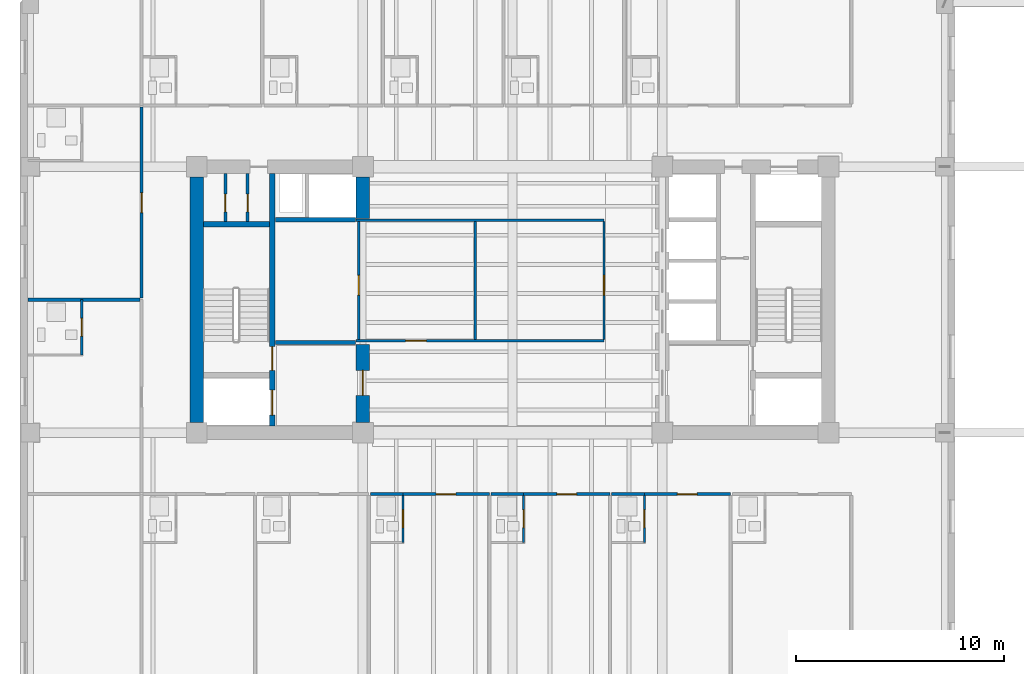
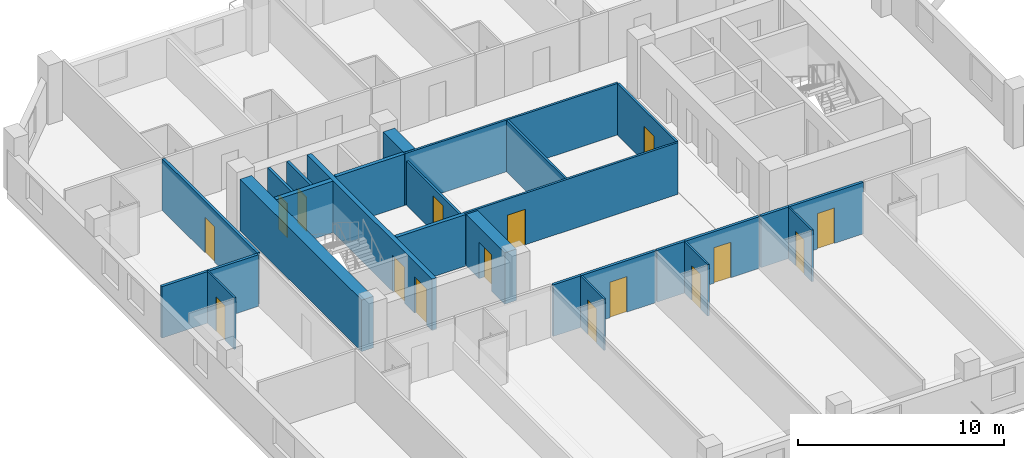
# One storey, part 6 of 14: 26 walls, 16 doors, 16 openings.
"""IFC4 building model written with IfcOpenShell, lengths in metres."""

from ifc_helpers import new_model, si_unit, direction, frame, frame_2d, origin, place, context, subcontext, project, spatial, rectangle, extrude, material, layer, layer_set, type_object, element, fill, save


model = new_model("IFC4")

# Units and contexts
model_context = context("Model", 3, precision=1e-05, world=origin(), true_north=direction((0.0, 1.0)))
body_context = subcontext(model_context, "Body", "Model", "MODEL_VIEW")
ifc_project = project(units=[si_unit("LENGTHUNIT", "METRE"), si_unit("AREAUNIT", "SQUARE_METRE"), si_unit("VOLUMEUNIT", "CUBIC_METRE"), si_unit("PLANEANGLEUNIT", "RADIAN"), si_unit("MASSUNIT", "GRAM", prefix="KILO")], contexts=[model_context])

# Site, building, storey
site_placement = place(None, origin())
site = spatial("IfcSite", under=ifc_project, at=site_placement, CompositionType="ELEMENT")
building_placement = place(site_placement, origin())
building = spatial("IfcBuilding", under=site, at=building_placement, Name="Kranthara Brick Stack", CompositionType="ELEMENT")
storey_placement = place(building_placement, frame((0.0, 0.0, 137.800048828125)))
storey = spatial("IfcBuildingStorey", under=building, at=storey_placement, Name="L34", CompositionType="ELEMENT", Elevation=137.800048828125)

# Wall, openings, doors
ifc_material_1 = material(Name="Concrete C50/60", Category="concrete")
ifc_layer_1 = layer(ifc_material_1, 0.25)
ifc_layer_set_1 = layer_set([ifc_layer_1], Name="Concrete C50/60")
wall_type_1 = type_object("IfcWallType", Name="WL-CORE-250", PredefinedType="SHEAR", material=ifc_layer_set_1)
wall_1_placement = place(storey_placement, frame((16.43505859375, 21.135009765625, 0.0), z_axis=(0.0, 0.0, 1.0), x_axis=(0.0, 1.0, 0.0)))
wall_1 = element("IfcWall", 1, at=wall_1_placement, inside=storey, type_object=wall_type_1, Name="L34 West Core Stair Bearing Spine Wall", PredefinedType="SHEAR", context=body_context, shape_type="SweptSolid", body=[
    extrude(rectangle(XDim=12.1298828125, YDim=0.25, at=frame_2d((6.06494140625, 0.0))), origin(), (0.0, 0.0, 1.0), 3.050048828125),
])
opening_1_placement = place(wall_1_placement, frame((0.514892578125, 0.0, 0.0)))
opening_1 = element("IfcOpeningElement", 2, at=opening_1_placement, cuts=wall_1, Name="Opening LD01", PredefinedType="OPENING", context=body_context, shape_type="SweptSolid", body=[
    extrude(rectangle(XDim=1.199951171875, YDim=2.14990234375, at=frame_2d((0.60009765625, 1.074951171875))), frame((0.0, 0.135009765625, 0.0), z_axis=(0.0, -1.0, 0.0), x_axis=(1.0, 0.0, 0.0)), (0.0, 0.0, 1.0), 0.27001953125),
])
opening_2_placement = place(wall_1_placement, frame((2.6650390625, 0.0, 0.0)))
opening_2 = element("IfcOpeningElement", 3, at=opening_2_placement, cuts=wall_1, Name="Opening D05", PredefinedType="OPENING", context=body_context, shape_type="SweptSolid", body=[
    extrude(rectangle(XDim=1.14990234375, YDim=2.14990234375, at=frame_2d((0.574951171875, 1.074951171875))), frame((0.0, 0.135009765625, 0.0), z_axis=(0.0, -1.0, 0.0), x_axis=(1.0, 0.0, 0.0)), (0.0, 0.0, 1.0), 0.27001953125),
])
ifc_material_2 = material(Name="Stainless steel sliding landing door", Category="steel")
door_type_1 = type_object("IfcDoorType", Name="DR-LD-FF1200", OperationType="DOUBLE_DOOR_SLIDING", PredefinedType="DOOR", material=ifc_material_2)
door_1_placement = place(opening_1_placement, origin())
door_1 = element("IfcDoor", 4, at=door_1_placement, inside=storey, type_object=door_type_1, Name="L34 Firefighting Lift FF-01 Landing Door", OperationType="DOUBLE_DOOR_SLIDING", OverallHeight=2.14990234375, OverallWidth=1.199951171875, PredefinedType="DOOR", context=body_context, shape_type="SweptSolid", body=[
    extrude(rectangle(XDim=1.199951171875, YDim=2.14990234375, at=frame_2d((0.60009765625, 1.074951171875))), frame((0.0, 0.02490234375, 0.0), z_axis=(0.0, -1.0, 0.0), x_axis=(1.0, 0.0, 0.0)), (0.0, 0.0, 1.0), 0.050048828125),
])
fill(opening_1, door_1)
ifc_material_3 = material(Name="Solid-core hardwood timber leaf in steel frame", Category="steel")
door_type_2 = type_object("IfcDoorType", Name="DR-ST-1150", OperationType="NOTDEFINED", PredefinedType="DOOR", material=ifc_material_3)
door_2_placement = place(opening_2_placement, origin())
door_2 = element("IfcDoor", 5, at=door_2_placement, inside=storey, type_object=door_type_2, Name="L34 Exit Stair ST01 Door", OperationType="SINGLE_SWING_RIGHT", OverallHeight=2.14990234375, OverallWidth=1.14990234375, PredefinedType="DOOR", context=body_context, shape_type="SweptSolid", body=[
    extrude(rectangle(XDim=1.14990234375, YDim=2.14990234375, at=frame_2d((0.574951171875, 1.074951171875))), frame((0.0, 0.02490234375, 0.0), z_axis=(0.0, -1.0, 0.0), x_axis=(1.0, 0.0, 0.0)), (0.0, 0.0, 1.0), 0.050048828125),
])
fill(opening_2, door_2)

# Walls
wall_2_placement = place(storey_placement, frame((13.135009765625, 30.830078125, 0.0), z_axis=(0.0, 0.0, 1.0), x_axis=(1.0, 0.0, 0.0)))
element("IfcWall", 6, at=wall_2_placement, inside=storey, type_object=wall_type_1, Name="L34 West Stairwell Bearing Wall WST", PredefinedType="SHEAR", context=body_context, shape_type="SweptSolid", body=[
    extrude(rectangle(XDim=3.175048828125, YDim=0.25, at=frame_2d((1.58740234375, 0.0))), origin(), (0.0, 0.0, 1.0), 3.050048828125),
])
ifc_material_4 = material(Name="Concrete C60/75", Category="concrete")
ifc_layer_2 = layer(ifc_material_4, 0.64990234375)
ifc_layer_set_2 = layer_set([ifc_layer_2], Name="Concrete C60/75")
wall_type_2 = type_object("IfcWallType", Name="WL-CORE-650", PredefinedType="SHEAR", material=ifc_layer_set_2)
wall_3_placement = place(storey_placement, frame((12.800048828125, 21.304931640625, 0.0), z_axis=(0.0, 0.0, 1.0), x_axis=(0.0, 1.0, 0.0)))
element("IfcWall", 7, at=wall_3_placement, inside=storey, type_object=wall_type_2, Name="L34 West Core Shear Wall West", PredefinedType="SHEAR", context=body_context, shape_type="SweptSolid", body=[
    extrude(rectangle(XDim=11.7900390625, YDim=0.64990234375, at=frame_2d((5.89501953125, 0.0))), origin(), (0.0, 0.0, 1.0), 3.050048828125),
])

# Wall, opening, door
wall_4_placement = place(storey_placement, frame((20.800048828125, 21.304931640625, 0.0), z_axis=(0.0, 0.0, 1.0), x_axis=(0.0, 1.0, 0.0)))
wall_4 = element("IfcWall", 8, at=wall_4_placement, inside=storey, type_object=wall_type_2, Name="L34 West Core Lobby Shear Wall", PredefinedType="SHEAR", context=body_context, shape_type="SweptSolid", body=[
    extrude(rectangle(XDim=3.7451171875, YDim=0.64990234375, at=frame_2d((1.87255859375, 0.0))), origin(), (0.0, 0.0, 1.0), 3.050048828125),
])
opening_3_placement = place(wall_4_placement, frame((1.294921875, 0.0, 0.0)))
opening_3 = element("IfcOpeningElement", 9, at=opening_3_placement, cuts=wall_4, Name="Opening D06", PredefinedType="OPENING", context=body_context, shape_type="SweptSolid", body=[
    extrude(rectangle(XDim=1.199951171875, YDim=2.14990234375, at=frame_2d((0.60009765625, 1.074951171875))), frame((0.0, 0.3349609375, 0.0), z_axis=(0.0, -1.0, 0.0), x_axis=(1.0, 0.0, 0.0)), (0.0, 0.0, 1.0), 0.669921875),
])
ifc_material_5 = material(Name="Solid-core hardwood timber leaf in steel frame", Category="steel")
door_type_3 = type_object("IfcDoorType", Name="DR-FFL-1200", OperationType="NOTDEFINED", PredefinedType="DOOR", material=ifc_material_5)
door_3_placement = place(opening_3_placement, origin())
door_3 = element("IfcDoor", 10, at=door_3_placement, inside=storey, type_object=door_type_3, Name="L34 West Firefighting Lobby Door", OperationType="SINGLE_SWING_LEFT", OverallHeight=2.14990234375, OverallWidth=1.199951171875, PredefinedType="DOOR", context=body_context, shape_type="SweptSolid", body=[
    extrude(rectangle(XDim=1.199951171875, YDim=2.14990234375, at=frame_2d((0.60009765625, 1.074951171875))), frame((0.0, 0.02490234375, 0.0), z_axis=(0.0, -1.0, 0.0), x_axis=(1.0, 0.0, 0.0)), (0.0, 0.0, 1.0), 0.050048828125),
])
fill(opening_3, door_3)

# Wall
wall_5_placement = place(storey_placement, frame((20.800048828125, 31.10009765625, 0.0), z_axis=(0.0, 0.0, 1.0), x_axis=(0.0, 1.0, 0.0)))
element("IfcWall", 11, at=wall_5_placement, inside=storey, type_object=wall_type_2, Name="L34 West Core High-Rise Lift Wall", PredefinedType="SHEAR", context=body_context, shape_type="SweptSolid", body=[
    extrude(rectangle(XDim=1.994873046875, YDim=0.64990234375, at=frame_2d((0.99755859375, 0.0))), origin(), (0.0, 0.0, 1.0), 3.050048828125),
])

# Wall, opening, door
ifc_material_6 = material(Name="Moisture-resistant wet-room partition", Category="other")
ifc_layer_3 = layer(ifc_material_6, 0.10009765625)
ifc_layer_set_3 = layer_set([ifc_layer_3], Name="Moisture-resistant wet-room partition")
wall_type_3 = type_object("IfcWallType", Name="WL-PART-100", PredefinedType="PARTITIONING", material=ifc_layer_set_3)
wall_6_placement = place(storey_placement, frame((22.72802734375, 15.52001953125, 0.0), z_axis=(0.0, 0.0, 1.0), x_axis=(0.0, 1.0, 0.0)))
wall_6 = element("IfcWall", 12, at=wall_6_placement, inside=storey, type_object=wall_type_3, Name="L34 Interior Partition 022", PredefinedType="PARTITIONING", context=body_context, shape_type="SweptSolid", body=[
    extrude(rectangle(XDim=2.25, YDim=0.10009765625, at=frame_2d((1.125, 0.0))), origin(), (0.0, 0.0, 1.0), 3.050048828125),
])
opening_4_placement = place(wall_6_placement, frame((0.719970703125, 0.0, 0.0)))
opening_4 = element("IfcOpeningElement", 13, at=opening_4_placement, cuts=wall_6, Name="Opening D17", PredefinedType="OPENING", context=body_context, shape_type="SweptSolid", body=[
    extrude(rectangle(XDim=0.85009765625, YDim=2.050048828125, at=frame_2d((0.425048828125, 1.02490234375))), frame((0.0, 0.06005859375, 0.0), z_axis=(0.0, -1.0, 0.0), x_axis=(1.0, 0.0, 0.0)), (0.0, 0.0, 1.0), 0.1201171875),
])
ifc_material_7 = material(Name="Solid-core hardwood timber leaf in steel frame", Category="steel")
door_type_4 = type_object("IfcDoorType", Name="DR-WET-850", OperationType="NOTDEFINED", PredefinedType="DOOR", material=ifc_material_7)
door_4_placement = place(opening_4_placement, origin())
door_4 = element("IfcDoor", 14, at=door_4_placement, inside=storey, type_object=door_type_4, Name="L34 Key 03 En-Suite Door 11", OperationType="SINGLE_SWING_LEFT", OverallHeight=2.050048828125, OverallWidth=0.85009765625, PredefinedType="DOOR", context=body_context, shape_type="SweptSolid", body=[
    extrude(rectangle(XDim=0.85009765625, YDim=2.050048828125, at=frame_2d((0.425048828125, 1.02490234375))), frame((0.0, 0.02490234375, 0.0), z_axis=(0.0, -1.0, 0.0), x_axis=(1.0, 0.0, 0.0)), (0.0, 0.0, 1.0), 0.050048828125),
])
fill(opening_4, door_4)

wall_7_placement = place(storey_placement, frame((28.532958984375, 15.52001953125, 0.0), z_axis=(0.0, 0.0, 1.0), x_axis=(0.0, 1.0, 0.0)))
wall_7 = element("IfcWall", 15, at=wall_7_placement, inside=storey, type_object=wall_type_3, Name="L34 Interior Partition 027", PredefinedType="PARTITIONING", context=body_context, shape_type="SweptSolid", body=[
    extrude(rectangle(XDim=2.25, YDim=0.10009765625, at=frame_2d((1.125, 0.0))), origin(), (0.0, 0.0, 1.0), 3.050048828125),
])
opening_5_placement = place(wall_7_placement, frame((0.719970703125, 0.0, 0.0)))
opening_5 = element("IfcOpeningElement", 16, at=opening_5_placement, cuts=wall_7, Name="Opening D17", PredefinedType="OPENING", context=body_context, shape_type="SweptSolid", body=[
    extrude(rectangle(XDim=0.85009765625, YDim=2.050048828125, at=frame_2d((0.425048828125, 1.02490234375))), frame((0.0, 0.06005859375, 0.0), z_axis=(0.0, -1.0, 0.0), x_axis=(1.0, 0.0, 0.0)), (0.0, 0.0, 1.0), 0.1201171875),
])
door_5_placement = place(opening_5_placement, origin())
door_5 = element("IfcDoor", 17, at=door_5_placement, inside=storey, type_object=door_type_4, Name="L34 Key 04 En-Suite Door 13", OperationType="SINGLE_SWING_LEFT", OverallHeight=2.050048828125, OverallWidth=0.85009765625, PredefinedType="DOOR", context=body_context, shape_type="SweptSolid", body=[
    extrude(rectangle(XDim=0.85009765625, YDim=2.050048828125, at=frame_2d((0.425048828125, 1.02490234375))), frame((0.0, 0.02490234375, 0.0), z_axis=(0.0, -1.0, 0.0), x_axis=(1.0, 0.0, 0.0)), (0.0, 0.0, 1.0), 0.050048828125),
])
fill(opening_5, door_5)

wall_8_placement = place(storey_placement, frame((34.339111328125, 15.52001953125, 0.0), z_axis=(0.0, 0.0, 1.0), x_axis=(0.0, 1.0, 0.0)))
wall_8 = element("IfcWall", 18, at=wall_8_placement, inside=storey, type_object=wall_type_3, Name="L34 Interior Partition 032", PredefinedType="PARTITIONING", context=body_context, shape_type="SweptSolid", body=[
    extrude(rectangle(XDim=2.25, YDim=0.10009765625, at=frame_2d((1.125, 0.0))), origin(), (0.0, 0.0, 1.0), 3.050048828125),
])
opening_6_placement = place(wall_8_placement, frame((0.719970703125, 0.0, 0.0)))
opening_6 = element("IfcOpeningElement", 19, at=opening_6_placement, cuts=wall_8, Name="Opening D17", PredefinedType="OPENING", context=body_context, shape_type="SweptSolid", body=[
    extrude(rectangle(XDim=0.85009765625, YDim=2.050048828125, at=frame_2d((0.425048828125, 1.02490234375))), frame((0.0, 0.06005859375, 0.0), z_axis=(0.0, -1.0, 0.0), x_axis=(1.0, 0.0, 0.0)), (0.0, 0.0, 1.0), 0.1201171875),
])
door_6_placement = place(opening_6_placement, origin())
door_6 = element("IfcDoor", 20, at=door_6_placement, inside=storey, type_object=door_type_4, Name="L34 Key 05 En-Suite Door 15", OperationType="SINGLE_SWING_LEFT", OverallHeight=2.050048828125, OverallWidth=0.85009765625, PredefinedType="DOOR", context=body_context, shape_type="SweptSolid", body=[
    extrude(rectangle(XDim=0.85009765625, YDim=2.050048828125, at=frame_2d((0.425048828125, 1.02490234375))), frame((0.0, 0.02490234375, 0.0), z_axis=(0.0, -1.0, 0.0), x_axis=(1.0, 0.0, 0.0)), (0.0, 0.0, 1.0), 0.050048828125),
])
fill(opening_6, door_6)

wall_9_placement = place(storey_placement, frame((7.27001953125, 24.550048828125, 0.0), z_axis=(0.0, 0.0, 1.0), x_axis=(0.0, 1.0, 0.0)))
wall_9 = element("IfcWall", 21, at=wall_9_placement, inside=storey, type_object=wall_type_3, Name="L34 Interior Partition 071", PredefinedType="PARTITIONING", context=body_context, shape_type="SweptSolid", body=[
    extrude(rectangle(XDim=2.64990234375, YDim=0.10009765625, at=frame_2d((1.324951171875, 0.0))), origin(), (0.0, 0.0, 1.0), 3.050048828125),
])
opening_7_placement = place(wall_9_placement, frame((0.905029296875, 0.0, 0.0)))
opening_7 = element("IfcOpeningElement", 22, at=opening_7_placement, cuts=wall_9, Name="Opening D17", PredefinedType="OPENING", context=body_context, shape_type="SweptSolid", body=[
    extrude(rectangle(XDim=0.85009765625, YDim=2.050048828125, at=frame_2d((0.425048828125, 1.02490234375))), frame((0.0, 0.06005859375, 0.0), z_axis=(0.0, -1.0, 0.0), x_axis=(1.0, 0.0, 0.0)), (0.0, 0.0, 1.0), 0.1201171875),
])
door_7_placement = place(opening_7_placement, origin())
door_7 = element("IfcDoor", 23, at=door_7_placement, inside=storey, type_object=door_type_4, Name="L34 West Key 13 Bath 30", OperationType="SINGLE_SWING_RIGHT", OverallHeight=2.050048828125, OverallWidth=0.85009765625, PredefinedType="DOOR", context=body_context, shape_type="SweptSolid", body=[
    extrude(rectangle(XDim=0.85009765625, YDim=2.050048828125, at=frame_2d((0.425048828125, 1.02490234375))), frame((0.0, 0.02490234375, 0.0), z_axis=(0.0, -1.0, 0.0), x_axis=(1.0, 0.0, 0.0)), (0.0, 0.0, 1.0), 0.050048828125),
])
fill(opening_7, door_7)

ifc_material_8 = material(Name="Acoustic gypsum plasterboard partition", Category="other")
ifc_layer_4 = layer(ifc_material_8, 0.1201171875)
ifc_layer_set_4 = layer_set([ifc_layer_4], Name="Acoustic gypsum plasterboard partition")
wall_type_4 = type_object("IfcWallType", Name="WL-PART-120", PredefinedType="PARTITIONING", material=ifc_layer_set_4)
wall_10_placement = place(storey_placement, frame((20.4599609375, 25.219970703125, 0.0), z_axis=(0.0, 0.0, 1.0), x_axis=(1.0, 0.0, 0.0)))
wall_10 = element("IfcWall", 24, at=wall_10_placement, inside=storey, type_object=wall_type_4, Name="L34 Interior Partition 004", PredefinedType="PARTITIONING", context=body_context, shape_type="SweptSolid", body=[
    extrude(rectangle(XDim=11.93994140625, YDim=0.1201171875, at=frame_2d((5.969970703125, 0.0))), origin(), (0.0, 0.0, 1.0), 3.050048828125),
])
opening_8_placement = place(wall_10_placement, frame((2.389892578125, 0.0, 0.0)))
opening_8 = element("IfcOpeningElement", 25, at=opening_8_placement, cuts=wall_10, Name="Opening D13", PredefinedType="OPENING", context=body_context, shape_type="SweptSolid", body=[
    extrude(rectangle(XDim=1.0, YDim=2.10009765625, at=frame_2d((0.5, 1.050048828125))), frame((0.0, 0.070068359375, 0.0), z_axis=(0.0, -1.0, 0.0), x_axis=(1.0, 0.0, 0.0)), (0.0, 0.0, 1.0), 0.14013671875),
])
ifc_material_9 = material(Name="Solid-core hardwood timber leaf in steel frame", Category="steel")
door_type_5 = type_object("IfcDoorType", Name="DR-INT-1000", OperationType="NOTDEFINED", PredefinedType="DOOR", material=ifc_material_9)
door_8_placement = place(opening_8_placement, origin())
door_8 = element("IfcDoor", 26, at=door_8_placement, inside=storey, type_object=door_type_5, Name="L34 Tea Salon Door 05", OperationType="SINGLE_SWING_LEFT", OverallHeight=2.10009765625, OverallWidth=1.0, PredefinedType="DOOR", context=body_context, shape_type="SweptSolid", body=[
    extrude(rectangle(XDim=1.0, YDim=2.10009765625, at=frame_2d((0.5, 1.050048828125))), frame((0.0, 0.02490234375, 0.0), z_axis=(0.0, -1.0, 0.0), x_axis=(1.0, 0.0, 0.0)), (0.0, 0.0, 1.0), 0.050048828125),
])
fill(opening_8, door_8)

# Wall
wall_11_placement = place(storey_placement, frame((20.4599609375, 31.02001953125, 0.0), z_axis=(0.0, 0.0, 1.0), x_axis=(1.0, 0.0, 0.0)))
element("IfcWall", 27, at=wall_11_placement, inside=storey, type_object=wall_type_4, Name="L34 Interior Partition 005", PredefinedType="PARTITIONING", context=body_context, shape_type="SweptSolid", body=[
    extrude(rectangle(XDim=11.93994140625, YDim=0.1201171875, at=frame_2d((5.969970703125, 0.0))), origin(), (0.0, 0.0, 1.0), 3.050048828125),
])

# Wall, opening, door
wall_12_placement = place(storey_placement, frame((32.39990234375, 25.284912109375, 0.0), z_axis=(0.0, 0.0, 1.0), x_axis=(0.0, 1.0, 0.0)))
wall_12 = element("IfcWall", 28, at=wall_12_placement, inside=storey, type_object=wall_type_4, Name="L34 Interior Partition 006", PredefinedType="PARTITIONING", context=body_context, shape_type="SweptSolid", body=[
    extrude(rectangle(XDim=5.670166015625, YDim=0.1201171875, at=frame_2d((2.8349609375, 0.0))), origin(), (0.0, 0.0, 1.0), 3.050048828125),
])
opening_9_placement = place(wall_12_placement, frame((2.135009765625, 0.0, 0.0)))
opening_9 = element("IfcOpeningElement", 29, at=opening_9_placement, cuts=wall_12, Name="Opening D14", PredefinedType="OPENING", context=body_context, shape_type="SweptSolid", body=[
    extrude(rectangle(XDim=0.949951171875, YDim=2.10009765625, at=frame_2d((0.47509765625, 1.050048828125))), frame((0.0, 0.070068359375, 0.0), z_axis=(0.0, -1.0, 0.0), x_axis=(1.0, 0.0, 0.0)), (0.0, 0.0, 1.0), 0.14013671875),
])
ifc_material_10 = material(Name="Solid-core hardwood timber leaf in steel frame", Category="steel")
door_type_6 = type_object("IfcDoorType", Name="DR-INT-950", OperationType="NOTDEFINED", PredefinedType="DOOR", material=ifc_material_10)
door_9_placement = place(opening_9_placement, origin())
door_9 = element("IfcDoor", 30, at=door_9_placement, inside=storey, type_object=door_type_6, Name="L34 Housekeeping Linen Door 06", OperationType="SINGLE_SWING_RIGHT", OverallHeight=2.10009765625, OverallWidth=0.949951171875, PredefinedType="DOOR", context=body_context, shape_type="SweptSolid", body=[
    extrude(rectangle(XDim=0.949951171875, YDim=2.10009765625, at=frame_2d((0.47509765625, 1.050048828125))), frame((0.0, 0.02490234375, 0.0), z_axis=(0.0, -1.0, 0.0), x_axis=(1.0, 0.0, 0.0)), (0.0, 0.0, 1.0), 0.050048828125),
])
fill(opening_9, door_9)

wall_13_placement = place(storey_placement, frame((20.60009765625, 25.284912109375, 0.0), z_axis=(0.0, 0.0, 1.0), x_axis=(0.0, 1.0, 0.0)))
wall_13 = element("IfcWall", 31, at=wall_13_placement, inside=storey, type_object=wall_type_4, Name="L34 Interior Partition 007", PredefinedType="PARTITIONING", context=body_context, shape_type="SweptSolid", body=[
    extrude(rectangle(XDim=5.670166015625, YDim=0.1201171875, at=frame_2d((2.8349609375, 0.0))), origin(), (0.0, 0.0, 1.0), 2.5849609375),
])
opening_10_placement = place(wall_13_placement, frame((2.135009765625, 0.0, 0.0)))
opening_10 = element("IfcOpeningElement", 32, at=opening_10_placement, cuts=wall_13, Name="Opening D14", PredefinedType="OPENING", context=body_context, shape_type="SweptSolid", body=[
    extrude(rectangle(XDim=0.949951171875, YDim=2.10009765625, at=frame_2d((0.47509765625, 1.050048828125))), frame((0.0, 0.070068359375, 0.0), z_axis=(0.0, -1.0, 0.0), x_axis=(1.0, 0.0, 0.0)), (0.0, 0.0, 1.0), 0.14013671875),
])
door_10_placement = place(opening_10_placement, origin())
door_10 = element("IfcDoor", 33, at=door_10_placement, inside=storey, type_object=door_type_6, Name="L34 Inner Archive Door 04", OperationType="SINGLE_SWING_RIGHT", OverallHeight=2.10009765625, OverallWidth=0.949951171875, PredefinedType="DOOR", context=body_context, shape_type="SweptSolid", body=[
    extrude(rectangle(XDim=0.949951171875, YDim=2.10009765625, at=frame_2d((0.47509765625, 1.050048828125))), frame((0.0, 0.02490234375, 0.0), z_axis=(0.0, -1.0, 0.0), x_axis=(1.0, 0.0, 0.0)), (0.0, 0.0, 1.0), 0.050048828125),
])
fill(opening_10, door_10)

# Wall
wall_14_placement = place(storey_placement, frame((26.199951171875, 25.284912109375, 0.0), z_axis=(0.0, 0.0, 1.0), x_axis=(0.0, 1.0, 0.0)))
element("IfcWall", 34, at=wall_14_placement, inside=storey, type_object=wall_type_4, Name="L34 Interior Partition 008", PredefinedType="PARTITIONING", context=body_context, shape_type="SweptSolid", body=[
    extrude(rectangle(XDim=5.670166015625, YDim=0.1201171875, at=frame_2d((2.8349609375, 0.0))), origin(), (0.0, 0.0, 1.0), 3.050048828125),
])

# Wall, opening, door
ifc_material_11 = material(Name="Fire-rated gypsum board partition", Category="other")
ifc_layer_5 = layer(ifc_material_11, 0.14990234375)
ifc_layer_set_5 = layer_set([ifc_layer_5], Name="Fire-rated gypsum board partition")
wall_type_5 = type_object("IfcWallType", Name="WL-PART-150", PredefinedType="PARTITIONING", material=ifc_layer_set_5)
wall_15_placement = place(storey_placement, frame((14.179931640625, 30.9599609375, 0.0), z_axis=(0.0, 0.0, 1.0), x_axis=(0.0, 1.0, 0.0)))
wall_15 = element("IfcWall", 35, at=wall_15_placement, inside=storey, type_object=wall_type_5, Name="L34 Interior Partition 001", PredefinedType="PARTITIONING", context=body_context, shape_type="SweptSolid", body=[
    extrude(rectangle(XDim=2.31005859375, YDim=0.14990234375, at=frame_2d((1.155029296875, 0.0))), origin(), (0.0, 0.0, 1.0), 3.050048828125),
])
opening_11_placement = place(wall_15_placement, frame((0.469970703125, 0.0, 0.0)))
opening_11 = element("IfcOpeningElement", 36, at=opening_11_placement, cuts=wall_15, Name="Opening D10", PredefinedType="OPENING", context=body_context, shape_type="SweptSolid", body=[
    extrude(rectangle(XDim=0.85009765625, YDim=2.02001953125, at=frame_2d((0.425048828125, 1.010009765625))), frame((0.0, 0.0849609375, 0.0), z_axis=(0.0, -1.0, 0.0), x_axis=(1.0, 0.0, 0.0)), (0.0, 0.0, 1.0), 0.169921875),
])
ifc_material_12 = material(Name="Solid-core hardwood timber leaf in steel frame", Category="steel")
door_type_7 = type_object("IfcDoorType", Name="DR-RSR-850", OperationType="NOTDEFINED", PredefinedType="DOOR", material=ifc_material_12)
door_11_placement = place(opening_11_placement, origin())
door_11 = element("IfcDoor", 37, at=door_11_placement, inside=storey, type_object=door_type_7, Name="L34 Riser Door A 01", OperationType="SINGLE_SWING_LEFT", OverallHeight=2.02001953125, OverallWidth=0.85009765625, PredefinedType="DOOR", context=body_context, shape_type="SweptSolid", body=[
    extrude(rectangle(XDim=0.85009765625, YDim=2.02001953125, at=frame_2d((0.425048828125, 1.010009765625))), frame((0.0, 0.02490234375, 0.0), z_axis=(0.0, -1.0, 0.0), x_axis=(1.0, 0.0, 0.0)), (0.0, 0.0, 1.0), 0.050048828125),
])
fill(opening_11, door_11)

wall_16_placement = place(storey_placement, frame((15.25, 30.9599609375, 0.0), z_axis=(0.0, 0.0, 1.0), x_axis=(0.0, 1.0, 0.0)))
wall_16 = element("IfcWall", 38, at=wall_16_placement, inside=storey, type_object=wall_type_5, Name="L34 Interior Partition 002", PredefinedType="PARTITIONING", context=body_context, shape_type="SweptSolid", body=[
    extrude(rectangle(XDim=2.31005859375, YDim=0.14990234375, at=frame_2d((1.155029296875, 0.0))), origin(), (0.0, 0.0, 1.0), 3.050048828125),
])
opening_12_placement = place(wall_16_placement, frame((0.469970703125, 0.0, 0.0)))
opening_12 = element("IfcOpeningElement", 39, at=opening_12_placement, cuts=wall_16, Name="Opening D10", PredefinedType="OPENING", context=body_context, shape_type="SweptSolid", body=[
    extrude(rectangle(XDim=0.85009765625, YDim=2.02001953125, at=frame_2d((0.425048828125, 1.010009765625))), frame((0.0, 0.0849609375, 0.0), z_axis=(0.0, -1.0, 0.0), x_axis=(1.0, 0.0, 0.0)), (0.0, 0.0, 1.0), 0.169921875),
])
door_12_placement = place(opening_12_placement, origin())
door_12 = element("IfcDoor", 40, at=door_12_placement, inside=storey, type_object=door_type_7, Name="L34 Riser Door B 02", OperationType="SINGLE_SWING_RIGHT", OverallHeight=2.02001953125, OverallWidth=0.85009765625, PredefinedType="DOOR", context=body_context, shape_type="SweptSolid", body=[
    extrude(rectangle(XDim=0.85009765625, YDim=2.02001953125, at=frame_2d((0.425048828125, 1.010009765625))), frame((0.0, 0.02490234375, 0.0), z_axis=(0.0, -1.0, 0.0), x_axis=(1.0, 0.0, 0.0)), (0.0, 0.0, 1.0), 0.050048828125),
])
fill(opening_12, door_12)

# Wall
wall_17_placement = place(storey_placement, frame((21.157958984375, 17.85009765625, 0.0), z_axis=(0.0, 0.0, 1.0), x_axis=(1.0, 0.0, 0.0)))
element("IfcWall", 41, at=wall_17_placement, inside=storey, type_object=wall_type_5, Name="L34 Interior Partition 020", PredefinedType="PARTITIONING", context=body_context, shape_type="SweptSolid", body=[
    extrude(rectangle(XDim=1.570068359375, YDim=0.14990234375, at=frame_2d((0.78515625, 0.0))), origin(), (0.0, 0.0, 1.0), 3.050048828125),
])

# Wall, opening, door
wall_18_placement = place(storey_placement, frame((22.72802734375, 17.85009765625, 0.0), z_axis=(0.0, 0.0, 1.0), x_axis=(1.0, 0.0, 0.0)))
wall_18 = element("IfcWall", 42, at=wall_18_placement, inside=storey, type_object=wall_type_5, Name="L34 Interior Partition 021", PredefinedType="PARTITIONING", context=body_context, shape_type="SweptSolid", body=[
    extrude(rectangle(XDim=4.155029296875, YDim=0.14990234375, at=frame_2d((2.07763671875, 0.0))), origin(), (0.0, 0.0, 1.0), 3.050048828125),
])
opening_13_placement = place(wall_18_placement, frame((1.596923828125, 0.0, 0.0)))
opening_13 = element("IfcOpeningElement", 43, at=opening_13_placement, cuts=wall_18, Name="Opening D09", PredefinedType="OPENING", context=body_context, shape_type="SweptSolid", body=[
    extrude(rectangle(XDim=0.949951171875, YDim=2.10009765625, at=frame_2d((0.47509765625, 1.050048828125))), frame((0.0, 0.0849609375, 0.0), z_axis=(0.0, -1.0, 0.0), x_axis=(1.0, 0.0, 0.0)), (0.0, 0.0, 1.0), 0.169921875),
])
ifc_material_13 = material(Name="Solid-core hardwood timber leaf in steel frame", Category="steel")
door_type_8 = type_object("IfcDoorType", Name="DR-FD-950", OperationType="NOTDEFINED", PredefinedType="DOOR", material=ifc_material_13)
door_13_placement = place(opening_13_placement, origin())
door_13 = element("IfcDoor", 44, at=door_13_placement, inside=storey, type_object=door_type_8, Name="L34 Key 03 Entry 12", OperationType="SINGLE_SWING_RIGHT", OverallHeight=2.10009765625, OverallWidth=0.949951171875, PredefinedType="DOOR", context=body_context, shape_type="SweptSolid", body=[
    extrude(rectangle(XDim=0.949951171875, YDim=2.10009765625, at=frame_2d((0.47509765625, 1.050048828125))), frame((0.0, 0.02490234375, 0.0), z_axis=(0.0, -1.0, 0.0), x_axis=(1.0, 0.0, 0.0)), (0.0, 0.0, 1.0), 0.050048828125),
])
fill(opening_13, door_13)

# Wall
wall_19_placement = place(storey_placement, frame((26.962890625, 17.85009765625, 0.0), z_axis=(0.0, 0.0, 1.0), x_axis=(1.0, 0.0, 0.0)))
element("IfcWall", 45, at=wall_19_placement, inside=storey, type_object=wall_type_5, Name="L34 Interior Partition 025", PredefinedType="PARTITIONING", context=body_context, shape_type="SweptSolid", body=[
    extrude(rectangle(XDim=1.570068359375, YDim=0.14990234375, at=frame_2d((0.78515625, 0.0))), origin(), (0.0, 0.0, 1.0), 3.050048828125),
])

# Wall, opening, door
wall_20_placement = place(storey_placement, frame((28.532958984375, 17.85009765625, 0.0), z_axis=(0.0, 0.0, 1.0), x_axis=(1.0, 0.0, 0.0)))
wall_20 = element("IfcWall", 46, at=wall_20_placement, inside=storey, type_object=wall_type_5, Name="L34 Interior Partition 026", PredefinedType="PARTITIONING", context=body_context, shape_type="SweptSolid", body=[
    extrude(rectangle(XDim=4.156005859375, YDim=0.14990234375, at=frame_2d((2.078125, 0.0))), origin(), (0.0, 0.0, 1.0), 3.050048828125),
])
opening_14_placement = place(wall_20_placement, frame((1.597900390625, 0.0, 0.0)))
opening_14 = element("IfcOpeningElement", 47, at=opening_14_placement, cuts=wall_20, Name="Opening D09", PredefinedType="OPENING", context=body_context, shape_type="SweptSolid", body=[
    extrude(rectangle(XDim=0.949951171875, YDim=2.10009765625, at=frame_2d((0.47509765625, 1.050048828125))), frame((0.0, 0.0849609375, 0.0), z_axis=(0.0, -1.0, 0.0), x_axis=(1.0, 0.0, 0.0)), (0.0, 0.0, 1.0), 0.169921875),
])
door_14_placement = place(opening_14_placement, origin())
door_14 = element("IfcDoor", 48, at=door_14_placement, inside=storey, type_object=door_type_8, Name="L34 Key 04 Entry 14", OperationType="SINGLE_SWING_RIGHT", OverallHeight=2.10009765625, OverallWidth=0.949951171875, PredefinedType="DOOR", context=body_context, shape_type="SweptSolid", body=[
    extrude(rectangle(XDim=0.949951171875, YDim=2.10009765625, at=frame_2d((0.47509765625, 1.050048828125))), frame((0.0, 0.02490234375, 0.0), z_axis=(0.0, -1.0, 0.0), x_axis=(1.0, 0.0, 0.0)), (0.0, 0.0, 1.0), 0.050048828125),
])
fill(opening_14, door_14)

# Wall
wall_21_placement = place(storey_placement, frame((32.76904296875, 17.85009765625, 0.0), z_axis=(0.0, 0.0, 1.0), x_axis=(1.0, 0.0, 0.0)))
element("IfcWall", 49, at=wall_21_placement, inside=storey, type_object=wall_type_5, Name="L34 Interior Partition 030", PredefinedType="PARTITIONING", context=body_context, shape_type="SweptSolid", body=[
    extrude(rectangle(XDim=1.570068359375, YDim=0.14990234375, at=frame_2d((0.78515625, 0.0))), origin(), (0.0, 0.0, 1.0), 3.050048828125),
])

# Wall, opening, door
wall_22_placement = place(storey_placement, frame((34.339111328125, 17.85009765625, 0.0), z_axis=(0.0, 0.0, 1.0), x_axis=(1.0, 0.0, 0.0)))
wall_22 = element("IfcWall", 50, at=wall_22_placement, inside=storey, type_object=wall_type_5, Name="L34 Interior Partition 031", PredefinedType="PARTITIONING", context=body_context, shape_type="SweptSolid", body=[
    extrude(rectangle(XDim=4.15478515625, YDim=0.14990234375, at=frame_2d((2.077392578125, 0.0))), origin(), (0.0, 0.0, 1.0), 3.050048828125),
])
opening_15_placement = place(wall_22_placement, frame((1.596923828125, 0.0, 0.0)))
opening_15 = element("IfcOpeningElement", 51, at=opening_15_placement, cuts=wall_22, Name="Opening D09", PredefinedType="OPENING", context=body_context, shape_type="SweptSolid", body=[
    extrude(rectangle(XDim=0.949951171875, YDim=2.10009765625, at=frame_2d((0.47509765625, 1.050048828125))), frame((0.0, 0.0849609375, 0.0), z_axis=(0.0, -1.0, 0.0), x_axis=(1.0, 0.0, 0.0)), (0.0, 0.0, 1.0), 0.169921875),
])
door_15_placement = place(opening_15_placement, origin())
door_15 = element("IfcDoor", 52, at=door_15_placement, inside=storey, type_object=door_type_8, Name="L34 Key 05 Entry 16", OperationType="SINGLE_SWING_RIGHT", OverallHeight=2.10009765625, OverallWidth=0.949951171875, PredefinedType="DOOR", context=body_context, shape_type="SweptSolid", body=[
    extrude(rectangle(XDim=0.949951171875, YDim=2.10009765625, at=frame_2d((0.47509765625, 1.050048828125))), frame((0.0, 0.02490234375, 0.0), z_axis=(0.0, -1.0, 0.0), x_axis=(1.0, 0.0, 0.0)), (0.0, 0.0, 1.0), 0.050048828125),
])
fill(opening_15, door_15)

# Wall
wall_23_placement = place(storey_placement, frame((4.675048828125, 27.199951171875, 0.0), z_axis=(0.0, 0.0, 1.0), x_axis=(1.0, 0.0, 0.0)))
element("IfcWall", 53, at=wall_23_placement, inside=storey, type_object=wall_type_5, Name="L34 Interior Partition 073", PredefinedType="PARTITIONING", context=body_context, shape_type="SweptSolid", body=[
    extrude(rectangle(XDim=5.39501953125, YDim=0.14990234375, at=frame_2d((2.697509765625, 0.0))), origin(), (0.0, 0.0, 1.0), 3.050048828125),
])

# Wall, opening, door
wall_24_placement = place(storey_placement, frame((10.14990234375, 27.280029296875, 0.0), z_axis=(0.0, 0.0, 1.0), x_axis=(0.0, 1.0, 0.0)))
wall_24 = element("IfcWall", 54, at=wall_24_placement, inside=storey, type_object=wall_type_5, Name="L34 Interior Partition 074", PredefinedType="PARTITIONING", context=body_context, shape_type="SweptSolid", body=[
    extrude(rectangle(XDim=9.18994140625, YDim=0.14990234375, at=frame_2d((4.594970703125, 0.0))), origin(), (0.0, 0.0, 1.0), 3.050048828125),
])
opening_16_placement = place(wall_24_placement, frame((4.114990234375, 0.0, 0.0)))
opening_16 = element("IfcOpeningElement", 55, at=opening_16_placement, cuts=wall_24, Name="Opening D09", PredefinedType="OPENING", context=body_context, shape_type="SweptSolid", body=[
    extrude(rectangle(XDim=0.949951171875, YDim=2.10009765625, at=frame_2d((0.47509765625, 1.050048828125))), frame((0.0, 0.0849609375, 0.0), z_axis=(0.0, -1.0, 0.0), x_axis=(1.0, 0.0, 0.0)), (0.0, 0.0, 1.0), 0.169921875),
])
door_16_placement = place(opening_16_placement, origin())
door_16 = element("IfcDoor", 56, at=door_16_placement, inside=storey, type_object=door_type_8, Name="L34 West Key 14 33", OperationType="SINGLE_SWING_LEFT", OverallHeight=2.10009765625, OverallWidth=0.949951171875, PredefinedType="DOOR", context=body_context, shape_type="SweptSolid", body=[
    extrude(rectangle(XDim=0.949951171875, YDim=2.10009765625, at=frame_2d((0.47509765625, 1.050048828125))), frame((0.0, 0.02490234375, 0.0), z_axis=(0.0, -1.0, 0.0), x_axis=(1.0, 0.0, 0.0)), (0.0, 0.0, 1.0), 0.050048828125),
])
fill(opening_16, door_16)

# Walls
ifc_material_14 = material(Name="Concrete C40/50", Category="concrete")
ifc_layer_6 = layer(ifc_material_14, 0.199951171875)
ifc_layer_set_6 = layer_set([ifc_layer_6], Name="Concrete C40/50")
wall_type_6 = type_object("IfcWallType", Name="WL-PART-200", PredefinedType="SOLIDWALL", material=ifc_layer_set_6)
for number, where, z_axis, x_axis, name in (
    (57, (16.60009765625, 25.14990234375, 0.0), (0.0, 0.0, 1.0), (1.0, 0.0, 0.0), "L34 West Core Cross Wall WFL"),
    (58, (16.60009765625, 31.050048828125, 0.0), (0.0, 0.0, 1.0), (1.0, 0.0, 0.0), "L34 West Core Cross Wall WH4"),
):
    element("IfcWall", number, at=place(storey_placement, frame(where, z_axis=z_axis, x_axis=x_axis)), inside=storey, type_object=wall_type_6, Name=name, PredefinedType="SOLIDWALL", context=body_context, shape_type="SweptSolid", body=[
        extrude(rectangle(XDim=3.849853515625, YDim=0.199951171875, at=frame_2d((1.9248046875, 0.0))), origin(), (0.0, 0.0, 1.0), 3.050048828125),
    ])

save(model, "model.ifc")
